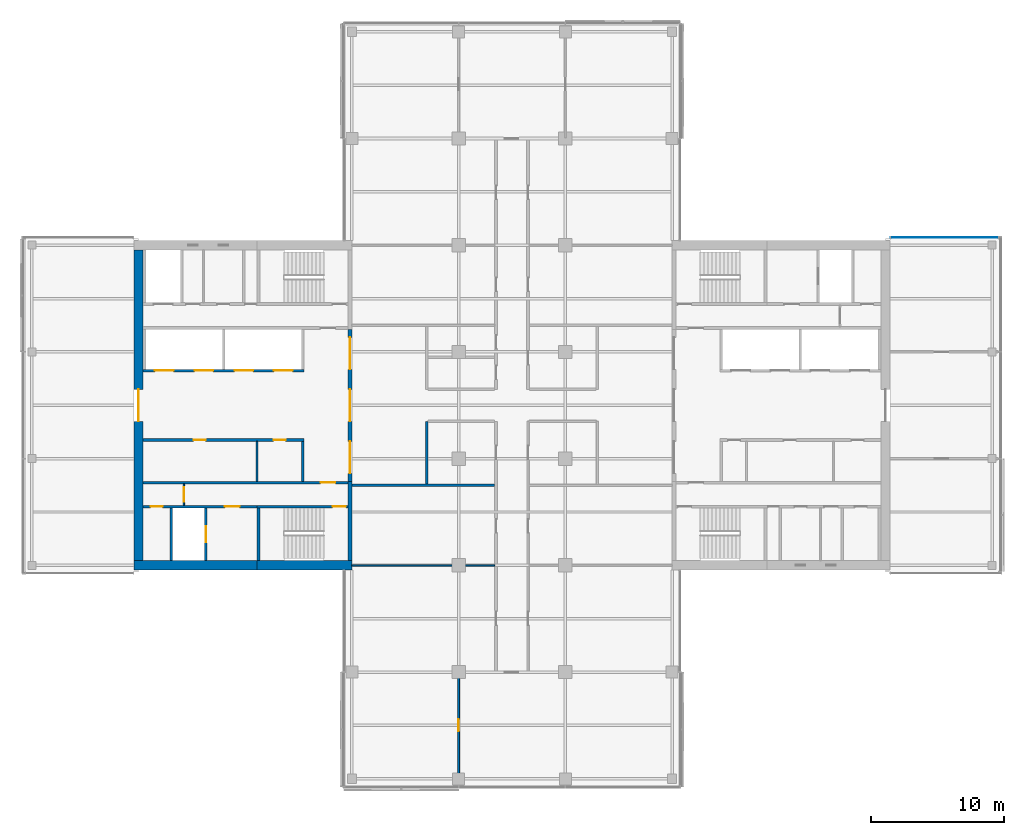
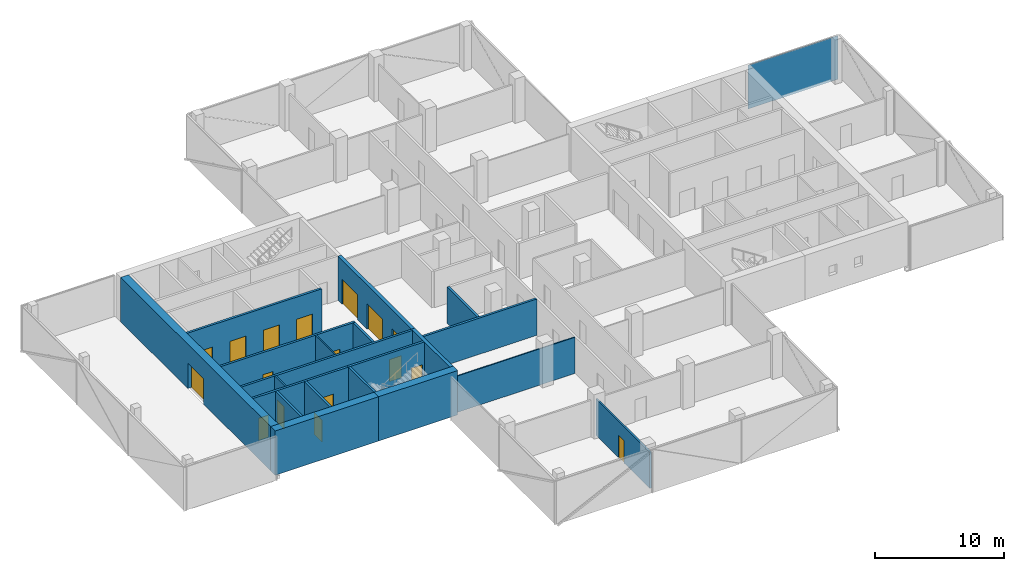
# One storey, part 13 of 22: 20 walls, 17 doors, 1 plate, 17 openings, 1 element without a shape of its own.
"""IFC4 building model written with IfcOpenShell, lengths in metres."""

import ifcopenshell
import ifcopenshell.guid

model = None  # the IFC model being written
_history = None  # IfcOwnerHistory: only IFC2X3 demands one
_inside = {}  # id of a spatial element -> (the spatial element, [elements in it])
_under = {}  # id of a project, library or spatial element -> (it, [spatial elements below it])
_declared = {}  # id of a project -> (the project, [libraries it declares])
_typed = {}  # id of a type object -> (the type object, [elements of that type])
_made_of = {}  # id of a material, layer set ... -> (it, [elements and type objects made of it])


def new_model(schema):
    """Start an empty IFC model of exactly this schema.

    Asked for "IFC4X3", IfcOpenShell would pick the latest addendum, in which some entities
    have other attributes; the version numbers below select the first issue.
    IFC2X3 requires an IfcOwnerHistory on every rooted entity: one is made here for all.
    """
    global model, _history
    if schema == "IFC4X3":
        model = ifcopenshell.file(schema_version=(4, 3, 0, 0))
    else:
        model = ifcopenshell.file(schema=schema)
    _inside.clear()
    _under.clear()
    _declared.clear()
    _typed.clear()
    _made_of.clear()
    _history = None
    if model.schema == "IFC2X3":
        org = make("IfcOrganization", Name="unknown")
        user = make(
            "IfcPersonAndOrganization",
            ThePerson=make("IfcPerson", FamilyName="unknown"),
            TheOrganization=org,
        )
        app = make(
            "IfcApplication",
            ApplicationDeveloper=org,
            Version="unknown",
            ApplicationFullName="unknown",
            ApplicationIdentifier="unknown",
        )
        _history = make(
            "IfcOwnerHistory",
            OwningUser=user,
            OwningApplication=app,
            ChangeAction="ADDED",
            CreationDate=0,
        )
    return model


def make(cls, **values):
    """One entity of the class cls with the attributes given. An attribute that is None is left unset."""
    return model.create_entity(
        cls, **{name: value for name, value in values.items() if value is not None}
    )


def rooted(cls, **values):
    """An entity with a GlobalId (a new one), such as an element, a storey or a relation."""
    return make(cls, GlobalId=ifcopenshell.guid.new(), OwnerHistory=_history, **values)


def si_unit(unit_type, name, prefix=None):
    """IfcSIUnit, for example si_unit("LENGTHUNIT", "METRE", prefix="MILLI")."""
    return make("IfcSIUnit", UnitType=unit_type, Prefix=prefix, Name=name)


def assignment(units):
    """IfcUnitAssignment: the units of a project."""
    return None if units is None else make("IfcUnitAssignment", Units=units)


def point(xyz):
    """IfcCartesianPoint."""
    return None if xyz is None else make("IfcCartesianPoint", Coordinates=xyz)


def direction(xyz):
    """IfcDirection."""
    return None if xyz is None else make("IfcDirection", DirectionRatios=xyz)


def frame(location, z_axis=None, x_axis=None):
    """IfcAxis2Placement3D, a coordinate frame: its origin and axes. An axis left out is left unset."""
    return make(
        "IfcAxis2Placement3D",
        Location=point(location),
        Axis=direction(z_axis),
        RefDirection=direction(x_axis),
    )


def frame_2d(location, x_axis=None):
    """IfcAxis2Placement2D, a coordinate frame in the plane: its origin and x axis."""
    return make(
        "IfcAxis2Placement2D", Location=point(location), RefDirection=direction(x_axis)
    )


def origin():
    """The frame at (0, 0, 0) with its axes left unset."""
    return frame((0.0, 0.0, 0.0))


def place(relative_to, where):
    """IfcLocalPlacement: puts the frame where relative to a parent placement (None: the world)."""
    return make(
        "IfcLocalPlacement", PlacementRelTo=relative_to, RelativePlacement=where
    )


def context(
    kind, dimensions, precision=None, world=None, true_north=None, identifier=None
):
    """IfcGeometricRepresentationContext, for example the 3D "Model" context."""
    return make(
        "IfcGeometricRepresentationContext",
        ContextIdentifier=identifier,
        ContextType=kind,
        CoordinateSpaceDimension=dimensions,
        Precision=precision,
        WorldCoordinateSystem=world,
        TrueNorth=true_north,
    )


def subcontext(parent, identifier, kind, view, scale=None):
    """IfcGeometricRepresentationSubContext, for example "Body" below "Model"."""
    return make(
        "IfcGeometricRepresentationSubContext",
        ContextIdentifier=identifier,
        ContextType=kind,
        ParentContext=parent,
        TargetScale=scale,
        TargetView=view,
    )


def project(units=None, contexts=None):
    """IfcProject with its units and contexts."""
    return rooted(
        "IfcProject",
        Name="project",
        RepresentationContexts=contexts,
        UnitsInContext=assignment(units),
    )


def spatial(cls, under=None, at=None, **own):
    """A site, building, storey or space (cls), placed at a placement, below another one or the project."""
    s = rooted(cls, ObjectPlacement=at, **own)
    if under is not None:
        _under.setdefault(under.id(), (under, []))[1].append(s)
    return s


def polyline(points):
    """IfcPolyline through the points."""
    return make("IfcPolyline", Points=[point(p) for p in points])


def profile(cls, at=None, kind="AREA", **sizes):
    """A parametric profile (cls). Its sizes go by their IFC names, for example OverallWidth=200.0."""
    return make(cls, ProfileType=kind, Position=at, **sizes)


def rectangle(**sizes):
    """IfcRectangleProfileDef."""
    return profile("IfcRectangleProfileDef", **sizes)


def outline(outer, holes=None, kind="AREA"):
    """IfcArbitraryClosedProfileDef: a profile drawn as a closed curve; with holes, ...WithVoids."""
    if holes is None:
        return make("IfcArbitraryClosedProfileDef", ProfileType=kind, OuterCurve=outer)
    return make(
        "IfcArbitraryProfileDefWithVoids",
        ProfileType=kind,
        OuterCurve=outer,
        InnerCurves=holes,
    )


def extrude(swept, where, along, depth):
    """IfcExtrudedAreaSolid: the profile swept, set in the frame where, extruded along a direction by depth."""
    return make(
        "IfcExtrudedAreaSolid",
        SweptArea=swept,
        Position=where,
        ExtrudedDirection=direction(along),
        Depth=depth,
    )


def shape(context_of_items, identifier, shape_type, items):
    """IfcShapeRepresentation: the items that make up one representation, for example the "Body"."""
    return make(
        "IfcShapeRepresentation",
        ContextOfItems=context_of_items,
        RepresentationIdentifier=identifier,
        RepresentationType=shape_type,
        Items=items,
    )


def material(Name=None, Category=None):
    """IfcMaterial."""
    return make("IfcMaterial", Name=Name, Category=Category)


def layer(
    of_material, thickness, ventilated=None, Name=None, Category=None, Priority=None
):
    """IfcMaterialLayer: one layer of a wall or slab, of a material (None: an air gap)."""
    return make(
        "IfcMaterialLayer",
        Material=of_material,
        LayerThickness=thickness,
        IsVentilated=ventilated,
        Name=Name,
        Category=Category,
        Priority=Priority,
    )


def layer_set(layers, Name=None):
    """IfcMaterialLayerSet."""
    return make("IfcMaterialLayerSet", MaterialLayers=layers, LayerSetName=Name)


def constituent(of_material, Name=None, Category=None, fraction=None):
    """IfcMaterialConstituent: one of the materials an element consists of."""
    return make(
        "IfcMaterialConstituent",
        Name=Name,
        Material=of_material,
        Fraction=fraction,
        Category=Category,
    )


def constituent_set(constituents=None, Name=None):
    """IfcMaterialConstituentSet."""
    return make(
        "IfcMaterialConstituentSet", Name=Name, MaterialConstituents=constituents
    )


def made_of(thing, what):
    """Note that an element or type object is made of a material, layer set ...; save() writes the relation."""
    if what is not None:
        _made_of.setdefault(what.id(), (what, []))[1].append(thing)
    return thing


def type_object(cls, material=None, **own):
    """A type object (cls), such as IfcWallType, which elements share."""
    return made_of(rooted(cls, **own), material)


def element(
    cls,
    number,
    at=None,
    inside=None,
    cuts=None,
    type_object=None,
    material=None,
    context=None,
    identifier="Body",
    shape_type=None,
    held_by="IfcProductDefinitionShape",
    body=None,
    shapes=None,
    **own,
):
    """One element of the class cls, such as IfcWall. Its Tag is "e" and its number.

    at: its placement. inside: the storey or other place that contains it. cuts: it is an
    opening in that element (IfcRelVoidsElement). A single representation is given by context,
    identifier, shape_type and body (its items); several are given by shapes. held_by: the class
    of the entity that holds the representations. save() writes the other relations.
    """
    e = rooted(cls, Tag="e%d" % number, ObjectPlacement=at, **own)
    if body is not None:
        shapes = [shape(context, identifier, shape_type, body)]
    if shapes is not None:
        e.Representation = make(held_by, Representations=shapes)
    if inside is not None:
        _inside.setdefault(inside.id(), (inside, []))[1].append(e)
    if cuts is not None:
        rooted(
            "IfcRelVoidsElement", RelatingBuildingElement=cuts, RelatedOpeningElement=e
        )
    if type_object is not None:
        _typed.setdefault(type_object.id(), (type_object, []))[1].append(e)
    return made_of(e, material)


def fill(opening, filler):
    """IfcRelFillsElement: the door or window that sits in an opening."""
    return rooted(
        "IfcRelFillsElement",
        RelatingOpeningElement=opening,
        RelatedBuildingElement=filler,
    )


def aggregate(whole, parts):
    """IfcRelAggregates: a whole, such as a stair, and the parts it consists of."""
    return rooted("IfcRelAggregates", RelatingObject=whole, RelatedObjects=parts)


def save(model, path):
    """Write the relations noted so far, then the file.

    IfcRelAggregates (storeys below a building ...), IfcRelContainedInSpatialStructure (elements
    in a storey), IfcRelDefinesByType, IfcRelAssociatesMaterial and IfcRelDeclares: one each for
    every whole, place, type object, material and project.
    """
    for whole, parts in _under.values():
        aggregate(whole, parts)
    for where, things in _inside.values():
        rooted(
            "IfcRelContainedInSpatialStructure",
            RelatedElements=things,
            RelatingStructure=where,
        )
    for kind, things in _typed.values():
        rooted("IfcRelDefinesByType", RelatedObjects=things, RelatingType=kind)
    for what, things in _made_of.values():
        rooted("IfcRelAssociatesMaterial", RelatedObjects=things, RelatingMaterial=what)
    for by, libraries in _declared.values():
        rooted("IfcRelDeclares", RelatingContext=by, RelatedDefinitions=libraries)
    model.write(path)


model = new_model("IFC4")

# Units and contexts
model_context = context("Model", 3, precision=1e-05, world=origin(), true_north=direction((0.0, 1.0)))
body_context = subcontext(model_context, "Body", "Model", "MODEL_VIEW")
ifc_project = project(units=[si_unit("LENGTHUNIT", "METRE"), si_unit("AREAUNIT", "SQUARE_METRE"), si_unit("VOLUMEUNIT", "CUBIC_METRE"), si_unit("PLANEANGLEUNIT", "RADIAN"), si_unit("MASSUNIT", "GRAM", prefix="KILO")], contexts=[model_context])

# Site, building, storey
site_placement = place(None, origin())
site = spatial("IfcSite", under=ifc_project, at=site_placement, CompositionType="ELEMENT")
building_placement = place(site_placement, origin())
building = spatial("IfcBuilding", under=site, at=building_placement, Name="Crosswind Convention Tower", CompositionType="ELEMENT")
storey_placement = place(building_placement, frame((0.0, 0.0, 129.5)))
storey = spatial("IfcBuildingStorey", under=building, at=storey_placement, Name="L26", CompositionType="ELEMENT", Elevation=129.5)

# Curtain wall, plate
ifc_material_1 = material(Name="Aluminium unitised curtain wall", Category="aluminium")
curtain_wall_type = type_object("IfcCurtainWallType", Name="CORE END SLOT WALL 160", PredefinedType="USERDEFINED", material=ifc_material_1)
curtain_wall_placement = place(storey_placement, origin())
curtain_wall = element("IfcCurtainWall", 1, at=curtain_wall_placement, inside=storey, type_object=curtain_wall_type, Name="CW6 L26 E-N.1-1 slot", ObjectType="UNITISED", PredefinedType="USERDEFINED")
ifc_material_2 = material(Name="Laminated insulating glass unit", Category="glass")
ifc_layer_1 = layer(ifc_material_2, 0.02587890625)
ifc_layer_set_1 = layer_set([ifc_layer_1], Name="TRIANGULAR GLASS PANEL 26")
plate_type = type_object("IfcPlateType", Name="TRIANGULAR GLASS PANEL 26", PredefinedType="CURTAIN_PANEL", material=ifc_layer_set_1)
plate_placement = place(storey_placement, frame((161.449951171875, 112.60693359375, -0.300048828125), z_axis=(0.0, 0.999999915215, 0.000411788894), x_axis=(-1.0, 0.0, 0.0)))
plate = element("IfcPlate", 2, at=plate_placement, type_object=plate_type, Name="CW6 panel 1.1", PredefinedType="CURTAIN_PANEL", context=body_context, shape_type="SweptSolid", body=[
    extrude(outline(polyline([(0.0, 0.0), (8.050048828125, 0.0), (8.050048828125, 4.150146836245408), (0.0, 4.150146836245408), (0.0, 0.0)])), origin(), (0.0, 0.0, -1.0), 0.02587890625),
])
aggregate(curtain_wall, [plate])

# Walls
ifc_material_3 = material(Name="Concrete blockwork", Category="masonry")
ifc_layer_2 = layer(ifc_material_3, 0.199951171875)
ifc_layer_set_2 = layer_set([ifc_layer_2], Name="COMPARTMENT WALL 200 BLOCKWORK")
wall_type_1 = type_object("IfcWallType", Name="COMPARTMENT WALL 200 BLOCKWORK", PredefinedType="SOLIDWALL", material=ifc_layer_set_2)
wall_1_placement = place(storey_placement, frame((118.60009765625, 94.10009765625, 0.0), z_axis=(0.0, 0.0, 1.0), x_axis=(0.0, 1.0, 0.0)))
element("IfcWall", 3, at=wall_1_placement, inside=storey, type_object=wall_type_1, Name="Compartment wall WT42", PredefinedType="SOLIDWALL", context=body_context, shape_type="SweptSolid", body=[
    extrude(rectangle(XDim=4.699951171875, YDim=0.199951171875, at=frame_2d((2.35009765625, 0.0))), origin(), (0.0, 0.0, 1.0), 3.436279296875),
])
wall_2_placement = place(storey_placement, frame((113.0, 94.0, 0.0), z_axis=(0.0, 0.0, 1.0), x_axis=(1.0, 0.0, 0.0)))
element("IfcWall", 4, at=wall_2_placement, inside=storey, type_object=wall_type_1, Name="Compartment wall WT42", PredefinedType="SOLIDWALL", context=body_context, shape_type="SweptSolid", body=[
    extrude(rectangle(XDim=10.699951171875, YDim=0.199951171875, at=frame_2d((5.35009765625, 0.0))), origin(), (0.0, 0.0, 1.0), 3.436279296875),
])

# Wall, opening, door
ifc_material_4 = material(Name="Concrete C60/75", Category="concrete")
ifc_layer_3 = layer(ifc_material_4, 0.699951171875)
ifc_layer_set_3 = layer_set([ifc_layer_3], Name="Concrete C60/75")
wall_type_2 = type_object("IfcWallType", Name="Concrete core wall 700", PredefinedType="SHEAR", material=ifc_layer_set_3)
wall_3_placement = place(storey_placement, frame((97.0, 111.64990234375, 0.0), z_axis=(0.0, 0.0, 1.0), x_axis=(0.0, -1.0, 0.0)))
wall_3 = element("IfcWall", 5, at=wall_3_placement, inside=storey, type_object=wall_type_2, Name="Wall O W L26", PredefinedType="SHEAR", context=body_context, shape_type="SweptSolid", body=[
    extrude(rectangle(XDim=23.2998046875, YDim=0.699951171875, at=frame_2d((11.64990234375, 0.0))), origin(), (0.0, 0.0, 1.0), 4.199951171875),
])
opening_1_placement = place(wall_3_placement, frame((10.449951171875, 0.0, 0.0)))
opening_1 = element("IfcOpeningElement", 6, at=opening_1_placement, cuts=wall_3, Name="Opening D100", PredefinedType="OPENING", context=body_context, shape_type="SweptSolid", body=[
    extrude(rectangle(XDim=2.39990234375, YDim=2.39990234375, at=frame_2d((1.199951171875, 1.199951171875))), frame((0.0, 0.35986328125, 0.0), z_axis=(0.0, -1.0, 0.0), x_axis=(1.0, 0.0, 0.0)), (0.0, 0.0, 1.0), 0.719970703125),
])
ifc_material_5 = material(Name="Steel fire door with glazed vision panels", Category="steel")
door_type_1 = type_object("IfcDoorType", Name="Fire-rated double door 2400x2400", OperationType="DOUBLE_DOOR_SINGLE_SWING", PredefinedType="DOOR", material=ifc_material_5)
door_1_placement = place(opening_1_placement, frame((2.39990234375, 0.0, 0.0), z_axis=(0.0, 0.0, 1.0), x_axis=(-1.0, 0.0, 0.0)))
door_1 = element("IfcDoor", 7, at=door_1_placement, inside=storey, type_object=door_type_1, Name="Lobby outer door L26", ObjectType="D100", OperationType="DOUBLE_DOOR_SINGLE_SWING", OverallHeight=2.39990234375, OverallWidth=2.39990234375, PredefinedType="DOOR", context=body_context, shape_type="SweptSolid", body=[
    extrude(rectangle(XDim=2.39990234375, YDim=2.39990234375, at=frame_2d((1.199951171875, 1.199951171875))), frame((0.0, 0.02490234375, 0.0), z_axis=(0.0, -1.0, 0.0), x_axis=(1.0, 0.0, 0.0)), (0.0, 0.0, 1.0), 0.050048828125),
])
fill(opening_1, door_1)

# Wall, openings, doors
ifc_material_6 = material(Name="Concrete C50/60", Category="concrete")
ifc_layer_4 = layer(ifc_material_6, 0.300048828125)
ifc_layer_set_4 = layer_set([ifc_layer_4], Name="Concrete C50/60")
wall_type_3 = type_object("IfcWallType", Name="Concrete inner core wall 300", PredefinedType="SHEAR", material=ifc_layer_set_4)
wall_4_placement = place(storey_placement, frame((112.85009765625, 105.699951171875, 0.0), z_axis=(0.0, 0.0, 1.0), x_axis=(0.0, -1.0, 0.0)))
wall_4 = element("IfcWall", 8, at=wall_4_placement, inside=storey, type_object=wall_type_3, Name="Wall SCR W L26", PredefinedType="SHEAR", context=body_context, shape_type="SweptSolid", body=[
    extrude(rectangle(XDim=11.39990234375, YDim=0.300048828125, at=frame_2d((5.699951171875, 0.0))), origin(), (0.0, 0.0, 1.0), 4.199951171875),
])
opening_2_placement = place(wall_4_placement, frame((0.60009765625, 0.0, 0.0)))
opening_2 = element("IfcOpeningElement", 9, at=opening_2_placement, cuts=wall_4, Name="Opening D100", PredefinedType="OPENING", context=body_context, shape_type="SweptSolid", body=[
    extrude(rectangle(XDim=2.39990234375, YDim=2.39990234375, at=frame_2d((1.199951171875, 1.199951171875))), frame((0.0, 0.159912109375, 0.0), z_axis=(0.0, -1.0, 0.0), x_axis=(1.0, 0.0, 0.0)), (0.0, 0.0, 1.0), 0.320068359375),
])
opening_3_placement = place(wall_4_placement, frame((4.5, 0.0, 0.0)))
opening_3 = element("IfcOpeningElement", 10, at=opening_3_placement, cuts=wall_4, Name="Opening D100", PredefinedType="OPENING", context=body_context, shape_type="SweptSolid", body=[
    extrude(rectangle(XDim=2.39990234375, YDim=2.39990234375, at=frame_2d((1.199951171875, 1.199951171875))), frame((0.0, 0.159912109375, 0.0), z_axis=(0.0, -1.0, 0.0), x_axis=(1.0, 0.0, 0.0)), (0.0, 0.0, 1.0), 0.320068359375),
])
opening_4_placement = place(wall_4_placement, frame((8.39990234375, 0.0, 0.0)))
opening_4 = element("IfcOpeningElement", 11, at=opening_4_placement, cuts=wall_4, Name="Opening D100", PredefinedType="OPENING", context=body_context, shape_type="SweptSolid", body=[
    extrude(rectangle(XDim=2.39990234375, YDim=2.39990234375, at=frame_2d((1.199951171875, 1.199951171875))), frame((0.0, 0.159912109375, 0.0), z_axis=(0.0, -1.0, 0.0), x_axis=(1.0, 0.0, 0.0)), (0.0, 0.0, 1.0), 0.320068359375),
])
door_2_placement = place(opening_2_placement, origin())
door_2 = element("IfcDoor", 12, at=door_2_placement, inside=storey, type_object=door_type_1, Name="Lobby door 1 L26", ObjectType="D100", OperationType="DOUBLE_DOOR_SINGLE_SWING", OverallHeight=2.39990234375, OverallWidth=2.39990234375, PredefinedType="DOOR", context=body_context, shape_type="SweptSolid", body=[
    extrude(rectangle(XDim=2.39990234375, YDim=2.39990234375, at=frame_2d((1.199951171875, 1.199951171875))), frame((0.0, 0.02490234375, 0.0), z_axis=(0.0, -1.0, 0.0), x_axis=(1.0, 0.0, 0.0)), (0.0, 0.0, 1.0), 0.050048828125),
])
fill(opening_2, door_2)
door_3_placement = place(opening_3_placement, origin())
door_3 = element("IfcDoor", 13, at=door_3_placement, inside=storey, type_object=door_type_1, Name="Lobby door 2 L26", ObjectType="D100", OperationType="DOUBLE_DOOR_SINGLE_SWING", OverallHeight=2.39990234375, OverallWidth=2.39990234375, PredefinedType="DOOR", context=body_context, shape_type="SweptSolid", body=[
    extrude(rectangle(XDim=2.39990234375, YDim=2.39990234375, at=frame_2d((1.199951171875, 1.199951171875))), frame((0.0, 0.02490234375, 0.0), z_axis=(0.0, -1.0, 0.0), x_axis=(1.0, 0.0, 0.0)), (0.0, 0.0, 1.0), 0.050048828125),
])
fill(opening_3, door_3)
door_4_placement = place(opening_4_placement, origin())
door_4 = element("IfcDoor", 14, at=door_4_placement, inside=storey, type_object=door_type_1, Name="Lobby door 3 L26", ObjectType="D100", OperationType="DOUBLE_DOOR_SINGLE_SWING", OverallHeight=2.39990234375, OverallWidth=2.39990234375, PredefinedType="DOOR", context=body_context, shape_type="SweptSolid", body=[
    extrude(rectangle(XDim=2.39990234375, YDim=2.39990234375, at=frame_2d((1.199951171875, 1.199951171875))), frame((0.0, 0.02490234375, 0.0), z_axis=(0.0, -1.0, 0.0), x_axis=(1.0, 0.0, 0.0)), (0.0, 0.0, 1.0), 0.050048828125),
])
fill(opening_4, door_4)

# Walls
wall_5_placement = place(storey_placement, frame((112.85009765625, 94.300048828125, 0.0), z_axis=(0.0, 0.0, 1.0), x_axis=(0.0, -1.0, 0.0)))
element("IfcWall", 15, at=wall_5_placement, inside=storey, type_object=wall_type_3, Name="Wall EP W L26", PredefinedType="SHEAR", context=body_context, shape_type="SweptSolid", body=[
    extrude(rectangle(XDim=5.949951171875, YDim=0.300048828125, at=frame_2d((2.97509765625, 0.0))), origin(), (0.0, 0.0, 1.0), 4.199951171875),
])
ifc_layer_5 = layer(ifc_material_6, 0.199951171875)
ifc_layer_set_5 = layer_set([ifc_layer_5], Name="Concrete C50/60")
wall_type_4 = type_object("IfcWallType", Name="Concrete shaft and stair wall 200", PredefinedType="SHEAR", material=ifc_layer_set_5)
wall_6_placement = place(storey_placement, frame((109.300048828125, 97.300048828125, 0.0), z_axis=(0.0, 0.0, 1.0), x_axis=(0.0, -1.0, 0.0)))
element("IfcWall", 16, at=wall_6_placement, inside=storey, type_object=wall_type_4, Name="Wall RPEND W L26", PredefinedType="SHEAR", context=body_context, shape_type="SweptSolid", body=[
    extrude(rectangle(XDim=3.0, YDim=0.199951171875, at=frame_2d((1.5, 0.0))), origin(), (0.0, 0.0, 1.0), 4.199951171875),
])

# Wall, openings, doors
wall_7_placement = place(storey_placement, frame((109.39990234375, 97.39990234375, 0.0), z_axis=(0.0, 0.0, 1.0), x_axis=(-1.0, 0.0, 0.0)))
wall_7 = element("IfcWall", 17, at=wall_7_placement, inside=storey, type_object=wall_type_4, Name="Wall RPFRONT W L26", PredefinedType="SHEAR", context=body_context, shape_type="SweptSolid", body=[
    extrude(rectangle(XDim=12.0498046875, YDim=0.199951171875, at=frame_2d((6.02490234375, 0.0))), origin(), (0.0, 0.0, 1.0), 4.199951171875),
])
opening_5_placement = place(wall_7_placement, frame((1.377685546875, 0.0, 0.0)))
opening_5 = element("IfcOpeningElement", 18, at=opening_5_placement, cuts=wall_7, Name="Opening D106", PredefinedType="OPENING", context=body_context, shape_type="SweptSolid", body=[
    extrude(rectangle(XDim=0.89990234375, YDim=2.10009765625, at=frame_2d((0.449951171875, 1.050048828125))), frame((0.0, 0.10986328125, 0.0), z_axis=(0.0, -1.0, 0.0), x_axis=(1.0, 0.0, 0.0)), (0.0, 0.0, 1.0), 0.219970703125),
])
opening_6_placement = place(wall_7_placement, frame((7.365234375, 0.0, 0.0)))
opening_6 = element("IfcOpeningElement", 19, at=opening_6_placement, cuts=wall_7, Name="Opening D106", PredefinedType="OPENING", context=body_context, shape_type="SweptSolid", body=[
    extrude(rectangle(XDim=0.89990234375, YDim=2.10009765625, at=frame_2d((0.449951171875, 1.050048828125))), frame((0.0, 0.10986328125, 0.0), z_axis=(0.0, -1.0, 0.0), x_axis=(1.0, 0.0, 0.0)), (0.0, 0.0, 1.0), 0.219970703125),
])
ifc_material_7 = material(Name="Timber door", Category="wood")
door_type_2 = type_object("IfcDoorType", Name="Single leaf door 900x2100", OperationType="NOTDEFINED", PredefinedType="DOOR", material=ifc_material_7)
door_5_placement = place(opening_5_placement, origin())
door_5 = element("IfcDoor", 20, at=door_5_placement, inside=storey, type_object=door_type_2, Name="Door to tenant services room L26", ObjectType="D106", OperationType="SINGLE_SWING_RIGHT", OverallHeight=2.10009765625, OverallWidth=0.89990234375, PredefinedType="DOOR", context=body_context, shape_type="SweptSolid", body=[
    extrude(rectangle(XDim=0.89990234375, YDim=2.10009765625, at=frame_2d((0.449951171875, 1.050048828125))), frame((0.0, 0.02490234375, 0.0), z_axis=(0.0, -1.0, 0.0), x_axis=(1.0, 0.0, 0.0)), (0.0, 0.0, 1.0), 0.050048828125),
])
fill(opening_5, door_5)
door_6_placement = place(opening_6_placement, origin())
door_6 = element("IfcDoor", 21, at=door_6_placement, inside=storey, type_object=door_type_2, Name="Door to copy and print room L26", ObjectType="D106", OperationType="SINGLE_SWING_RIGHT", OverallHeight=2.10009765625, OverallWidth=0.89990234375, PredefinedType="DOOR", context=body_context, shape_type="SweptSolid", body=[
    extrude(rectangle(XDim=0.89990234375, YDim=2.10009765625, at=frame_2d((0.449951171875, 1.050048828125))), frame((0.0, 0.02490234375, 0.0), z_axis=(0.0, -1.0, 0.0), x_axis=(1.0, 0.0, 0.0)), (0.0, 0.0, 1.0), 0.050048828125),
])
fill(opening_6, door_6)

wall_8_placement = place(storey_placement, frame((109.39990234375, 102.60009765625, 0.0), z_axis=(0.0, 0.0, 1.0), x_axis=(-1.0, 0.0, 0.0)))
wall_8 = element("IfcWall", 22, at=wall_8_placement, inside=storey, type_object=wall_type_4, Name="Wall RMFRONT W L26", PredefinedType="SHEAR", context=body_context, shape_type="SweptSolid", body=[
    extrude(rectangle(XDim=12.0498046875, YDim=0.199951171875, at=frame_2d((6.02490234375, 0.0))), origin(), (0.0, 0.0, 1.0), 4.199951171875),
])
opening_7_placement = place(wall_8_placement, frame((0.85009765625, 0.0, 0.0)))
opening_7 = element("IfcOpeningElement", 23, at=opening_7_placement, cuts=wall_8, Name="Opening LD2", PredefinedType="OPENING", context=body_context, shape_type="SweptSolid", body=[
    extrude(rectangle(XDim=1.39990234375, YDim=2.10009765625, at=frame_2d((0.699951171875, 1.050048828125))), frame((0.0, 0.10986328125, 0.0), z_axis=(0.0, -1.0, 0.0), x_axis=(1.0, 0.0, 0.0)), (0.0, 0.0, 1.0), 0.219970703125),
])
opening_8_placement = place(wall_8_placement, frame((3.800048828125, 0.0, 0.0)))
opening_8 = element("IfcOpeningElement", 24, at=opening_8_placement, cuts=wall_8, Name="Opening LD2", PredefinedType="OPENING", context=body_context, shape_type="SweptSolid", body=[
    extrude(rectangle(XDim=1.39990234375, YDim=2.10009765625, at=frame_2d((0.699951171875, 1.050048828125))), frame((0.0, 0.10986328125, 0.0), z_axis=(0.0, -1.0, 0.0), x_axis=(1.0, 0.0, 0.0)), (0.0, 0.0, 1.0), 0.219970703125),
])
opening_9_placement = place(wall_8_placement, frame((6.800048828125, 0.0, 0.0)))
opening_9 = element("IfcOpeningElement", 25, at=opening_9_placement, cuts=wall_8, Name="Opening LD2", PredefinedType="OPENING", context=body_context, shape_type="SweptSolid", body=[
    extrude(rectangle(XDim=1.39990234375, YDim=2.10009765625, at=frame_2d((0.699951171875, 1.050048828125))), frame((0.0, 0.10986328125, 0.0), z_axis=(0.0, -1.0, 0.0), x_axis=(1.0, 0.0, 0.0)), (0.0, 0.0, 1.0), 0.219970703125),
])
opening_10_placement = place(wall_8_placement, frame((9.77490234375, 0.0, 0.0)))
opening_10 = element("IfcOpeningElement", 26, at=opening_10_placement, cuts=wall_8, Name="Opening LD2", PredefinedType="OPENING", context=body_context, shape_type="SweptSolid", body=[
    extrude(rectangle(XDim=1.39990234375, YDim=2.10009765625, at=frame_2d((0.699951171875, 1.050048828125))), frame((0.0, 0.10986328125, 0.0), z_axis=(0.0, -1.0, 0.0), x_axis=(1.0, 0.0, 0.0)), (0.0, 0.0, 1.0), 0.219970703125),
])
ifc_material_8 = material(Name="Stainless steel", Category="steel")
door_type_3 = type_object("IfcDoorType", Name="Lift landing door 1400x2100", OperationType="DOUBLE_DOOR_SLIDING", PredefinedType="DOOR", material=ifc_material_8)
door_7_placement = place(opening_7_placement, origin())
door_7 = element("IfcDoor", 27, at=door_7_placement, inside=storey, type_object=door_type_3, Name="Landing door A5 L26", ObjectType="LD2", OperationType="DOUBLE_DOOR_SLIDING", OverallHeight=2.10009765625, OverallWidth=1.39990234375, PredefinedType="DOOR", context=body_context, shape_type="SweptSolid", body=[
    extrude(rectangle(XDim=1.39990234375, YDim=2.10009765625, at=frame_2d((0.699951171875, 1.050048828125))), frame((0.0, 0.02490234375, 0.0), z_axis=(0.0, -1.0, 0.0), x_axis=(1.0, 0.0, 0.0)), (0.0, 0.0, 1.0), 0.050048828125),
])
fill(opening_7, door_7)
door_8_placement = place(opening_8_placement, origin())
door_8 = element("IfcDoor", 28, at=door_8_placement, inside=storey, type_object=door_type_3, Name="Landing door A6 L26", ObjectType="LD2", OperationType="DOUBLE_DOOR_SLIDING", OverallHeight=2.10009765625, OverallWidth=1.39990234375, PredefinedType="DOOR", context=body_context, shape_type="SweptSolid", body=[
    extrude(rectangle(XDim=1.39990234375, YDim=2.10009765625, at=frame_2d((0.699951171875, 1.050048828125))), frame((0.0, 0.02490234375, 0.0), z_axis=(0.0, -1.0, 0.0), x_axis=(1.0, 0.0, 0.0)), (0.0, 0.0, 1.0), 0.050048828125),
])
fill(opening_8, door_8)
door_9_placement = place(opening_9_placement, origin())
door_9 = element("IfcDoor", 29, at=door_9_placement, inside=storey, type_object=door_type_3, Name="Landing door A7 L26", ObjectType="LD2", OperationType="DOUBLE_DOOR_SLIDING", OverallHeight=2.10009765625, OverallWidth=1.39990234375, PredefinedType="DOOR", context=body_context, shape_type="SweptSolid", body=[
    extrude(rectangle(XDim=1.39990234375, YDim=2.10009765625, at=frame_2d((0.699951171875, 1.050048828125))), frame((0.0, 0.02490234375, 0.0), z_axis=(0.0, -1.0, 0.0), x_axis=(1.0, 0.0, 0.0)), (0.0, 0.0, 1.0), 0.050048828125),
])
fill(opening_9, door_9)
door_10_placement = place(opening_10_placement, origin())
door_10 = element("IfcDoor", 30, at=door_10_placement, inside=storey, type_object=door_type_3, Name="Landing door A8 L26", ObjectType="LD2", OperationType="DOUBLE_DOOR_SLIDING", OverallHeight=2.10009765625, OverallWidth=1.39990234375, PredefinedType="DOOR", context=body_context, shape_type="SweptSolid", body=[
    extrude(rectangle(XDim=1.39990234375, YDim=2.10009765625, at=frame_2d((0.699951171875, 1.050048828125))), frame((0.0, 0.02490234375, 0.0), z_axis=(0.0, -1.0, 0.0), x_axis=(1.0, 0.0, 0.0)), (0.0, 0.0, 1.0), 0.050048828125),
])
fill(opening_10, door_10)

# Wall, opening, door
wall_9_placement = place(storey_placement, frame((112.699951171875, 94.199951171875, 0.0), z_axis=(0.0, 0.0, 1.0), x_axis=(-1.0, 0.0, 0.0)))
wall_9 = element("IfcWall", 31, at=wall_9_placement, inside=storey, type_object=wall_type_4, Name="Wall HP W L26", PredefinedType="SHEAR", context=body_context, shape_type="SweptSolid", body=[
    extrude(rectangle(XDim=15.349853515625, YDim=0.199951171875, at=frame_2d((7.6748046875, 0.0))), origin(), (0.0, 0.0, 1.0), 4.199951171875),
])
opening_11_placement = place(wall_9_placement, frame((0.949951171875, 0.0, 0.0)))
opening_11 = element("IfcOpeningElement", 32, at=opening_11_placement, cuts=wall_9, Name="Opening D104", PredefinedType="OPENING", context=body_context, shape_type="SweptSolid", body=[
    extrude(rectangle(XDim=1.10009765625, YDim=2.10009765625, at=frame_2d((0.550048828125, 1.050048828125))), frame((0.0, 0.10986328125, 0.0), z_axis=(0.0, -1.0, 0.0), x_axis=(1.0, 0.0, 0.0)), (0.0, 0.0, 1.0), 0.219970703125),
])
ifc_material_9 = material(Name="Steel fire door", Category="steel")
door_type_4 = type_object("IfcDoorType", Name="Fire-rated single door 1100x2100", OperationType="NOTDEFINED", PredefinedType="DOOR", material=ifc_material_9)
door_11_placement = place(opening_11_placement, origin())
door_11 = element("IfcDoor", 33, at=door_11_placement, inside=storey, type_object=door_type_4, Name="Corridor door L26", ObjectType="D104", OperationType="SINGLE_SWING_LEFT", OverallHeight=2.10009765625, OverallWidth=1.10009765625, PredefinedType="DOOR", context=body_context, shape_type="SweptSolid", body=[
    extrude(rectangle(XDim=1.10009765625, YDim=2.10009765625, at=frame_2d((0.550048828125, 1.050048828125))), frame((0.0, 0.02490234375, 0.0), z_axis=(0.0, -1.0, 0.0), x_axis=(1.0, 0.0, 0.0)), (0.0, 0.0, 1.0), 0.050048828125),
])
fill(opening_11, door_11)

# Wall
wall_10_placement = place(storey_placement, frame((106.0, 92.300048828125, 0.0), z_axis=(0.0, 0.0, 1.0), x_axis=(0.0, -1.0, 0.0)))
element("IfcWall", 34, at=wall_10_placement, inside=storey, type_object=wall_type_4, Name="Wall PSE W L26", PredefinedType="SHEAR", context=body_context, shape_type="SweptSolid", body=[
    extrude(rectangle(XDim=3.949951171875, YDim=0.199951171875, at=frame_2d((1.97509765625, 0.0))), origin(), (0.0, 0.0, 1.0), 4.199951171875),
])

# Wall, opening, door
wall_11_placement = place(storey_placement, frame((102.050048828125, 92.300048828125, 0.0), z_axis=(0.0, 0.0, 1.0), x_axis=(0.0, -1.0, 0.0)))
wall_11 = element("IfcWall", 35, at=wall_11_placement, inside=storey, type_object=wall_type_4, Name="Wall PFLW W L26", PredefinedType="SHEAR", context=body_context, shape_type="SweptSolid", body=[
    extrude(rectangle(XDim=3.949951171875, YDim=0.199951171875, at=frame_2d((1.97509765625, 0.0))), origin(), (0.0, 0.0, 1.0), 4.199951171875),
])
opening_12_placement = place(wall_11_placement, frame((1.375, 0.0, 0.0)))
opening_12 = element("IfcOpeningElement", 36, at=opening_12_placement, cuts=wall_11, Name="Opening LD1", PredefinedType="OPENING", context=body_context, shape_type="SweptSolid", body=[
    extrude(rectangle(XDim=1.199951171875, YDim=2.10009765625, at=frame_2d((0.60009765625, 1.050048828125))), frame((0.0, 0.10986328125, 0.0), z_axis=(0.0, -1.0, 0.0), x_axis=(1.0, 0.0, 0.0)), (0.0, 0.0, 1.0), 0.219970703125),
])
door_type_5 = type_object("IfcDoorType", Name="Lift landing door 1200x2100", OperationType="DOUBLE_DOOR_SLIDING", PredefinedType="DOOR", material=ifc_material_8)
door_12_placement = place(opening_12_placement, origin())
door_12 = element("IfcDoor", 37, at=door_12_placement, inside=storey, type_object=door_type_5, Name="Landing door FF2 L26", ObjectType="LD1", OperationType="DOUBLE_DOOR_SLIDING", OverallHeight=2.10009765625, OverallWidth=1.199951171875, PredefinedType="DOOR", context=body_context, shape_type="SweptSolid", body=[
    extrude(rectangle(XDim=1.199951171875, YDim=2.10009765625, at=frame_2d((0.60009765625, 1.050048828125))), frame((0.0, 0.02490234375, 0.0), z_axis=(0.0, -1.0, 0.0), x_axis=(1.0, 0.0, 0.0)), (0.0, 0.0, 1.0), 0.050048828125),
])
fill(opening_12, door_12)

# Wall
wall_12_placement = place(storey_placement, frame((99.449951171875, 92.300048828125, 0.0), z_axis=(0.0, 0.0, 1.0), x_axis=(0.0, -1.0, 0.0)))
element("IfcWall", 38, at=wall_12_placement, inside=storey, type_object=wall_type_4, Name="Wall PFSE W L26", PredefinedType="SHEAR", context=body_context, shape_type="SweptSolid", body=[
    extrude(rectangle(XDim=3.949951171875, YDim=0.199951171875, at=frame_2d((1.97509765625, 0.0))), origin(), (0.0, 0.0, 1.0), 4.199951171875),
])

# Wall, opening, door
wall_13_placement = place(storey_placement, frame((112.699951171875, 92.39990234375, 0.0), z_axis=(0.0, 0.0, 1.0), x_axis=(-1.0, 0.0, 0.0)))
wall_13 = element("IfcWall", 39, at=wall_13_placement, inside=storey, type_object=wall_type_4, Name="Wall PCW W L26", PredefinedType="SHEAR", context=body_context, shape_type="SweptSolid", body=[
    extrude(rectangle(XDim=6.800048828125, YDim=0.199951171875, at=frame_2d((3.39990234375, 0.0))), origin(), (0.0, 0.0, 1.0), 4.199951171875),
])
opening_13_placement = place(wall_13_placement, frame((0.14990234375, 0.0, 0.0)))
opening_13 = element("IfcOpeningElement", 40, at=opening_13_placement, cuts=wall_13, Name="Opening D103", PredefinedType="OPENING", context=body_context, shape_type="SweptSolid", body=[
    extrude(rectangle(XDim=1.0, YDim=2.10009765625, at=frame_2d((0.5, 1.050048828125))), frame((0.0, 0.10986328125, 0.0), z_axis=(0.0, -1.0, 0.0), x_axis=(1.0, 0.0, 0.0)), (0.0, 0.0, 1.0), 0.219970703125),
])
door_type_6 = type_object("IfcDoorType", Name="Fire-rated single door 1000x2100", OperationType="NOTDEFINED", PredefinedType="DOOR", material=ifc_material_9)
door_13_placement = place(opening_13_placement, origin())
door_13 = element("IfcDoor", 41, at=door_13_placement, inside=storey, type_object=door_type_6, Name="Stair ST3 door L26", ObjectType="D103", OperationType="SINGLE_SWING_LEFT", OverallHeight=2.10009765625, OverallWidth=1.0, PredefinedType="DOOR", context=body_context, shape_type="SweptSolid", body=[
    extrude(rectangle(XDim=1.0, YDim=2.10009765625, at=frame_2d((0.5, 1.050048828125))), frame((0.0, 0.02490234375, 0.0), z_axis=(0.0, -1.0, 0.0), x_axis=(1.0, 0.0, 0.0)), (0.0, 0.0, 1.0), 0.050048828125),
])
fill(opening_13, door_13)

# Wall, openings, doors
wall_14_placement = place(storey_placement, frame((105.89990234375, 92.39990234375, 0.0), z_axis=(0.0, 0.0, 1.0), x_axis=(-1.0, 0.0, 0.0)))
wall_14 = element("IfcWall", 42, at=wall_14_placement, inside=storey, type_object=wall_type_4, Name="Wall PCX W L26", PredefinedType="SHEAR", context=body_context, shape_type="SweptSolid", body=[
    extrude(rectangle(XDim=8.5498046875, YDim=0.199951171875, at=frame_2d((4.27490234375, 0.0))), origin(), (0.0, 0.0, 1.0), 4.199951171875),
])
opening_14_placement = place(wall_14_placement, frame((1.324951171875, 0.0, 0.0)))
opening_14 = element("IfcOpeningElement", 43, at=opening_14_placement, cuts=wall_14, Name="Opening D104", PredefinedType="OPENING", context=body_context, shape_type="SweptSolid", body=[
    extrude(rectangle(XDim=1.10009765625, YDim=2.10009765625, at=frame_2d((0.550048828125, 1.050048828125))), frame((0.0, 0.10986328125, 0.0), z_axis=(0.0, -1.0, 0.0), x_axis=(1.0, 0.0, 0.0)), (0.0, 0.0, 1.0), 0.219970703125),
])
opening_15_placement = place(wall_14_placement, frame((7.10009765625, 0.0, 0.0)))
opening_15 = element("IfcOpeningElement", 44, at=opening_15_placement, cuts=wall_14, Name="Opening D106", PredefinedType="OPENING", context=body_context, shape_type="SweptSolid", body=[
    extrude(rectangle(XDim=0.89990234375, YDim=2.10009765625, at=frame_2d((0.449951171875, 1.050048828125))), frame((0.0, 0.10986328125, 0.0), z_axis=(0.0, -1.0, 0.0), x_axis=(1.0, 0.0, 0.0)), (0.0, 0.0, 1.0), 0.219970703125),
])
door_14_placement = place(opening_14_placement, origin())
door_14 = element("IfcDoor", 45, at=door_14_placement, inside=storey, type_object=door_type_4, Name="Fire-fighting lobby FF2 door L26", ObjectType="D104", OperationType="SINGLE_SWING_RIGHT", OverallHeight=2.10009765625, OverallWidth=1.10009765625, PredefinedType="DOOR", context=body_context, shape_type="SweptSolid", body=[
    extrude(rectangle(XDim=1.10009765625, YDim=2.10009765625, at=frame_2d((0.550048828125, 1.050048828125))), frame((0.0, 0.02490234375, 0.0), z_axis=(0.0, -1.0, 0.0), x_axis=(1.0, 0.0, 0.0)), (0.0, 0.0, 1.0), 0.050048828125),
])
fill(opening_14, door_14)
door_15_placement = place(opening_15_placement, origin())
door_15 = element("IfcDoor", 46, at=door_15_placement, inside=storey, type_object=door_type_2, Name="Door to telecoms room L26", ObjectType="D106", OperationType="SINGLE_SWING_RIGHT", OverallHeight=2.10009765625, OverallWidth=0.89990234375, PredefinedType="DOOR", context=body_context, shape_type="SweptSolid", body=[
    extrude(rectangle(XDim=0.89990234375, YDim=2.10009765625, at=frame_2d((0.449951171875, 1.050048828125))), frame((0.0, 0.02490234375, 0.0), z_axis=(0.0, -1.0, 0.0), x_axis=(1.0, 0.0, 0.0)), (0.0, 0.0, 1.0), 0.050048828125),
])
fill(opening_15, door_15)

# Wall
ifc_material_10 = material(Name="Gypsum plasterboard partition", Category="gypsum")
ifc_layer_6 = layer(ifc_material_10, 0.125)
ifc_layer_set_6 = layer_set([ifc_layer_6], Name="Drywall partition wall 125")
wall_type_5 = type_object("IfcWallType", Name="Drywall partition wall 125", PredefinedType="PARTITIONING", material=ifc_layer_set_6)
wall_15_placement = place(storey_placement, frame((105.882080078125, 97.300048828125, 0.0), z_axis=(0.0, 0.0, 1.0), x_axis=(0.0, -1.0, 0.0)))
element("IfcWall", 47, at=wall_15_placement, inside=storey, type_object=wall_type_5, Name="Wall RPP1 W L26", PredefinedType="PARTITIONING", context=body_context, shape_type="SweptSolid", body=[
    extrude(rectangle(XDim=3.0, YDim=0.125, at=frame_2d((1.5, 0.0))), origin(), (0.0, 0.0, 1.0), 4.199951171875),
])

# Wall, opening, door
wall_16_placement = place(storey_placement, frame((100.39990234375, 94.10009765625, 0.0), z_axis=(0.0, 0.0, 1.0), x_axis=(0.0, -1.0, 0.0)))
wall_16 = element("IfcWall", 48, at=wall_16_placement, inside=storey, type_object=wall_type_5, Name="Wall PXC1 W L26", PredefinedType="PARTITIONING", context=body_context, shape_type="SweptSolid", body=[
    extrude(rectangle(XDim=1.60009765625, YDim=0.125, at=frame_2d((0.800048828125, 0.0))), origin(), (0.0, 0.0, 1.0), 4.199951171875),
])
opening_16_placement = place(wall_16_placement, frame((0.25, 0.0, 0.0)))
opening_16 = element("IfcOpeningElement", 49, at=opening_16_placement, cuts=wall_16, Name="Opening D104", PredefinedType="OPENING", context=body_context, shape_type="SweptSolid", body=[
    extrude(rectangle(XDim=1.10009765625, YDim=2.10009765625, at=frame_2d((0.550048828125, 1.050048828125))), frame((0.0, 0.072509765625, 0.0), z_axis=(0.0, -1.0, 0.0), x_axis=(1.0, 0.0, 0.0)), (0.0, 0.0, 1.0), 0.14501953125),
])
door_16_placement = place(opening_16_placement, origin())
door_16 = element("IfcDoor", 50, at=door_16_placement, inside=storey, type_object=door_type_4, Name="Corridor smoke door L26", ObjectType="D104", OperationType="SINGLE_SWING_RIGHT", OverallHeight=2.10009765625, OverallWidth=1.10009765625, PredefinedType="DOOR", context=body_context, shape_type="SweptSolid", body=[
    extrude(rectangle(XDim=1.10009765625, YDim=2.10009765625, at=frame_2d((0.550048828125, 1.050048828125))), frame((0.0, 0.02490234375, 0.0), z_axis=(0.0, -1.0, 0.0), x_axis=(1.0, 0.0, 0.0)), (0.0, 0.0, 1.0), 0.050048828125),
])
fill(opening_16, door_16)

# Wall
ifc_material_11 = material(Name="Plasterboard partition", Category="gypsum")
ifc_layer_7 = layer(ifc_material_11, 0.10009765625)
ifc_layer_set_7 = layer_set([ifc_layer_7], Name="PARTITION 100 METAL STUD")
wall_type_6 = type_object("IfcWallType", Name="PARTITION 100 METAL STUD", PredefinedType="PARTITIONING", material=ifc_layer_set_7)
wall_17_placement = place(storey_placement, frame((113.0, 88.0, 0.0), z_axis=(0.0, 0.0, 1.0), x_axis=(1.0, 0.0, 0.0)))
element("IfcWall", 51, at=wall_17_placement, inside=storey, type_object=wall_type_6, Name="Partition wall WT40", PredefinedType="PARTITIONING", context=body_context, shape_type="SweptSolid", body=[
    extrude(rectangle(XDim=10.699951171875, YDim=0.10009765625, at=frame_2d((5.35009765625, 0.0))), origin(), (0.0, 0.0, 1.0), 3.436279296875),
])

# Wall, opening, door
ifc_material_12 = material(Name="Fire-board partition with mineral wool", Category="gypsum")
ifc_layer_8 = layer(ifc_material_12, 0.14990234375)
ifc_layer_set_8 = layer_set([ifc_layer_8], Name="TENANCY WALL 150 TWO-HOUR BOARD")
wall_type_7 = type_object("IfcWallType", Name="TENANCY WALL 150 TWO-HOUR BOARD", PredefinedType="PARTITIONING", material=ifc_layer_set_8)
wall_18_placement = place(storey_placement, frame((121.0, 71.580078125, 0.0), z_axis=(0.0, 0.0, 1.0), x_axis=(0.0, 1.0, 0.0)))
wall_18 = element("IfcWall", 52, at=wall_18_placement, inside=storey, type_object=wall_type_7, Name="Tenancy wall WT41", PredefinedType="PARTITIONING", context=body_context, shape_type="SweptSolid", body=[
    extrude(rectangle(XDim=8.344970703125, YDim=0.14990234375, at=frame_2d((4.17236328125, 0.0))), origin(), (0.0, 0.0, 1.0), 3.436279296875),
])
opening_17_placement = place(wall_18_placement, frame((3.969970703125, 0.0, 0.0)))
opening_17 = element("IfcOpeningElement", 53, at=opening_17_placement, cuts=wall_18, Name="Opening L26-67", PredefinedType="OPENING", context=body_context, shape_type="SweptSolid", body=[
    extrude(rectangle(XDim=0.89990234375, YDim=2.10009765625, at=frame_2d((0.449951171875, 1.050048828125))), frame((0.0, 0.0849609375, 0.0), z_axis=(0.0, -1.0, 0.0), x_axis=(1.0, 0.0, 0.0)), (0.0, 0.0, 1.0), 0.169921875),
])
door_type_7 = type_object("IfcDoorType", Name="INTERNAL DOOR 900X2100", OperationType="NOTDEFINED", PredefinedType="DOOR", material=ifc_material_7)
door_17_placement = place(opening_17_placement, origin())
door_17 = element("IfcDoor", 54, at=door_17_placement, inside=storey, type_object=door_type_7, Name="Door L26-67", ObjectType="D40", OperationType="SINGLE_SWING_RIGHT", OverallHeight=2.10009765625, OverallWidth=0.89990234375, PredefinedType="DOOR", context=body_context, shape_type="SweptSolid", body=[
    extrude(rectangle(XDim=0.89990234375, YDim=2.10009765625, at=frame_2d((0.449951171875, 1.050048828125))), frame((0.0, 0.02490234375, 0.0), z_axis=(0.0, -1.0, 0.0), x_axis=(1.0, 0.0, 0.0)), (0.0, 0.0, 1.0), 0.050048828125),
])
fill(opening_17, door_17)

# Walls
ifc_constituent_1 = constituent(ifc_material_4, Name="Structure")
ifc_material_13 = material(Name="Terracotta rainscreen", Category="ceramic")
ifc_constituent_2 = constituent(ifc_material_13, Name="Facing")
ifc_constituent_set = constituent_set(constituents=[ifc_constituent_1, ifc_constituent_2], Name="Concrete C60/75, Terracotta rainscreen")
wall_type_8 = type_object("IfcWallType", Name="Terracotta rainscreen on concrete core wall 700", PredefinedType="SHEAR", material=ifc_constituent_set)
wall_19_placement = place(storey_placement, frame((113.0, 88.0, 0.0), z_axis=(0.0, 0.0, 1.0), x_axis=(-1.0, 0.0, 0.0)))
element("IfcWall", 55, at=wall_19_placement, inside=storey, type_object=wall_type_8, Name="Wall N1 W L26", PredefinedType="SHEAR", context=body_context, shape_type="SweptSolid", body=[
    extrude(rectangle(XDim=7.10009765625, YDim=0.699951171875, at=frame_2d((3.550048828125, 0.0))), origin(), (0.0, 0.0, 1.0), 4.199951171875),
])
wall_20_placement = place(storey_placement, frame((105.89990234375, 88.0, 0.0), z_axis=(0.0, 0.0, 1.0), x_axis=(-1.0, 0.0, 0.0)))
element("IfcWall", 56, at=wall_20_placement, inside=storey, type_object=wall_type_8, Name="Wall N2 W L26", PredefinedType="SHEAR", context=body_context, shape_type="SweptSolid", body=[
    extrude(rectangle(XDim=9.25, YDim=0.699951171875, at=frame_2d((4.625, 0.0))), origin(), (0.0, 0.0, 1.0), 4.199951171875),
])

save(model, "model.ifc")
